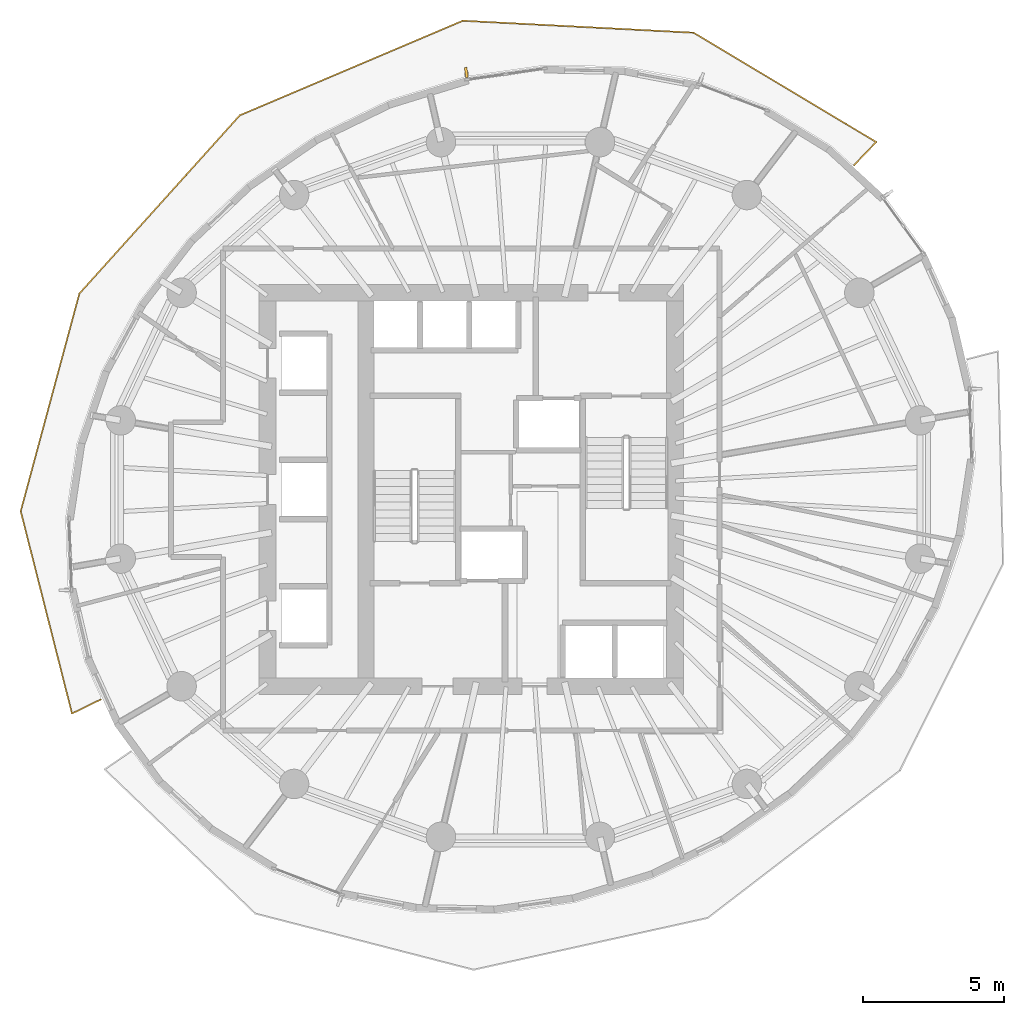
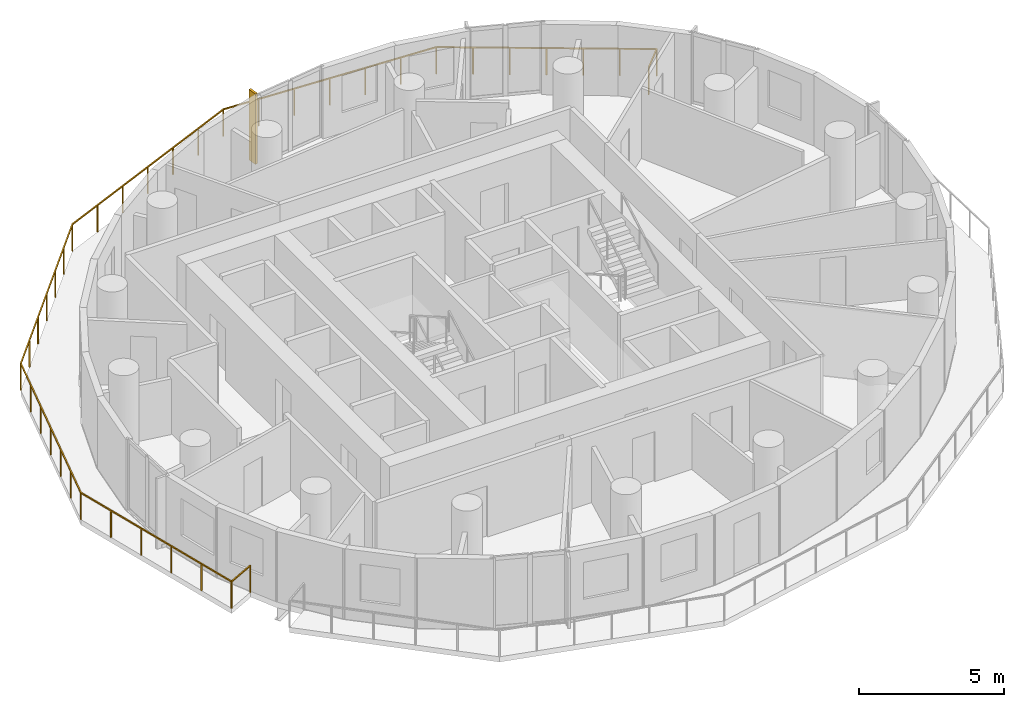
# One storey, part 13 of 14: 1 railing, 1 shading device.
"""IFC4 building model written with IfcOpenShell, lengths in metres."""

from ifc_helpers import new_model, si_unit, direction, frame, origin, origin_2d, place, context, subcontext, project, spatial, rectangle, extrude, material, layer, layer_set, type_object, element, save


model = new_model("IFC4")

# Units and contexts
model_context = context("Model", 3, precision=1e-05, world=origin(), true_north=direction((0.0, 1.0)))
body_context = subcontext(model_context, "Body", "Model", "MODEL_VIEW")
ifc_project = project(units=[si_unit("LENGTHUNIT", "METRE"), si_unit("AREAUNIT", "SQUARE_METRE"), si_unit("VOLUMEUNIT", "CUBIC_METRE"), si_unit("PLANEANGLEUNIT", "RADIAN"), si_unit("MASSUNIT", "GRAM", prefix="KILO")], contexts=[model_context])

# Site, building, storey
site_placement = place(None, origin())
site = spatial("IfcSite", under=ifc_project, at=site_placement, CompositionType="ELEMENT")
building_placement = place(site_placement, origin())
building = spatial("IfcBuilding", under=site, at=building_placement, Name="Veldorim Arch Residences", CompositionType="ELEMENT")
storey_placement = place(building_placement, frame((0.0, 0.0, 129.760009765625)))
storey = spatial("IfcBuildingStorey", under=building, at=storey_placement, Name="L38", CompositionType="ELEMENT", Elevation=129.760009765625)

# Railing
ifc_material_1 = material(Name="Aluminium", Category="aluminium")
railing_type = type_object("IfcRailingType", Name="Balcony & Terrace Laminated Glass Balustrade 1150", PredefinedType="BALUSTRADE", material=ifc_material_1)
railing_placement = place(storey_placement, frame((43.863037109375, 35.533447265625, 0.0)))
element("IfcRailing", 1, at=railing_placement, inside=storey, type_object=railing_type, Name="L38 crescent balcony safety balustrade A", PredefinedType="BALUSTRADE", context=body_context, shape_type="SweptSolid", body=[
    extrude(rectangle(XDim=0.048095703125, YDim=0.048095703125, at=origin_2d()), frame((0.0, 0.0, 1.1259765625), z_axis=(0.692306414723, 0.721603650305, 0.0), x_axis=(-0.721603650305, 0.692306414723, 0.0)), (0.0, 0.0, 1.0), 1.14990234375),
    extrude(rectangle(XDim=0.048095703125, YDim=0.048095703125, at=origin_2d()), frame((0.796142578125, 0.829833984375, 1.1259765625), z_axis=(-0.857944702199, 0.51374204419, 0.0), x_axis=(-0.51374204419, -0.857944702199, 0.0)), (0.0, 0.0, 1.0), 7.575927734375),
    extrude(rectangle(XDim=0.048095703125, YDim=0.048095703125, at=origin_2d()), frame((-5.70361328125, 4.721923828125, 1.1259765625), z_axis=(-0.9986577375, 0.051795012615, 0.0), x_axis=(-0.051795012615, -0.9986577375, 0.0)), (0.0, 0.0, 1.0), 8.220458984375),
    extrude(rectangle(XDim=0.048095703125, YDim=0.048095703125, at=origin_2d()), frame((-13.9130859375, 5.147705078125, 1.1259765625), z_axis=(-0.920610468256, -0.39048222205, 0.0), x_axis=(0.39048222205, -0.920610468256, 0.0)), (0.0, 0.0, 1.0), 8.62255859375),
    extrude(rectangle(XDim=0.048095703125, YDim=0.048095703125, at=origin_2d()), frame((-21.85107421875, 1.78076171875, 1.1259765625), z_axis=(-0.668980537933, -0.743279920263, 0.0), x_axis=(0.743279920263, -0.668980537933, 0.0)), (0.0, 0.0, 1.0), 8.533447265625),
    extrude(rectangle(XDim=0.048095703125, YDim=0.048095703125, at=origin_2d()), frame((-27.559814453125, -4.56201171875, 1.1259765625), z_axis=(-0.26021582334, -0.965550477854, 0.0), x_axis=(0.965550477854, -0.26021582334, 0.0)), (0.0, 0.0, 1.0), 8.02001953125),
    extrude(rectangle(XDim=0.048095703125, YDim=0.048095703125, at=origin_2d()), frame((-29.646728515625, -12.3056640625, 1.1259765625), z_axis=(0.245751019277, -0.969332985369, 0.0), x_axis=(0.969332985369, 0.245751019277, 0.0)), (0.0, 0.0, 1.0), 7.428955078125),
    extrude(rectangle(XDim=0.048095703125, YDim=0.048095703125, at=origin_2d()), frame((-27.821044921875, -19.5068359375, 1.1259765625), z_axis=(0.898590875034, 0.438787464846, 0.0), x_axis=(-0.438787464846, 0.898590875034, 0.0)), (0.0, 0.0, 1.0), 1.150146484375),
    extrude(rectangle(XDim=0.0419921875, YDim=0.0419921875, at=origin_2d()), origin(), (0.0, 0.0, 1.0), 1.101806640625),
    extrude(rectangle(XDim=0.0419921875, YDim=0.0419921875, at=origin_2d()), frame((0.796142578125, 0.829833984375, 0.0)), (0.0, 0.0, 1.0), 1.101806640625),
    extrude(rectangle(XDim=0.0419921875, YDim=0.0419921875, at=origin_2d()), frame((-0.287109375, 1.478515625, 0.0)), (0.0, 0.0, 1.0), 1.101806640625),
    extrude(rectangle(XDim=0.0419921875, YDim=0.0419921875, at=origin_2d()), frame((-1.370361328125, 2.127197265625, 0.0)), (0.0, 0.0, 1.0), 1.101806640625),
    extrude(rectangle(XDim=0.0419921875, YDim=0.0419921875, at=origin_2d()), frame((-2.45361328125, 2.77587890625, 0.0)), (0.0, 0.0, 1.0), 1.101806640625),
    extrude(rectangle(XDim=0.0419921875, YDim=0.0419921875, at=origin_2d()), frame((-3.537109375, 3.424560546875, 0.0)), (0.0, 0.0, 1.0), 1.101806640625),
    extrude(rectangle(XDim=0.0419921875, YDim=0.0419921875, at=origin_2d()), frame((-4.620361328125, 4.0732421875, 0.0)), (0.0, 0.0, 1.0), 1.101806640625),
    extrude(rectangle(XDim=0.0419921875, YDim=0.0419921875, at=origin_2d()), frame((-5.70361328125, 4.721923828125, 0.0)), (0.0, 0.0, 1.0), 1.101806640625),
    extrude(rectangle(XDim=0.0419921875, YDim=0.0419921875, at=origin_2d()), frame((-7.07177734375, 4.79296875, 0.0)), (0.0, 0.0, 1.0), 1.101806640625),
    extrude(rectangle(XDim=0.0419921875, YDim=0.0419921875, at=origin_2d()), frame((-8.440185546875, 4.86376953125, 0.0)), (0.0, 0.0, 1.0), 1.101806640625),
    extrude(rectangle(XDim=0.0419921875, YDim=0.0419921875, at=origin_2d()), frame((-9.808349609375, 4.934814453125, 0.0)), (0.0, 0.0, 1.0), 1.101806640625),
    extrude(rectangle(XDim=0.0419921875, YDim=0.0419921875, at=origin_2d()), frame((-11.176513671875, 5.005859375, 0.0)), (0.0, 0.0, 1.0), 1.101806640625),
    extrude(rectangle(XDim=0.0419921875, YDim=0.0419921875, at=origin_2d()), frame((-12.544921875, 5.07666015625, 0.0)), (0.0, 0.0, 1.0), 1.101806640625),
    extrude(rectangle(XDim=0.0419921875, YDim=0.0419921875, at=origin_2d()), frame((-13.9130859375, 5.147705078125, 0.0)), (0.0, 0.0, 1.0), 1.101806640625),
    extrude(rectangle(XDim=0.0419921875, YDim=0.0419921875, at=origin_2d()), frame((-15.236083984375, 4.58642578125, 0.0)), (0.0, 0.0, 1.0), 1.101806640625),
    extrude(rectangle(XDim=0.0419921875, YDim=0.0419921875, at=origin_2d()), frame((-16.55908203125, 4.025390625, 0.0)), (0.0, 0.0, 1.0), 1.101806640625),
    extrude(rectangle(XDim=0.0419921875, YDim=0.0419921875, at=origin_2d()), frame((-17.882080078125, 3.46435546875, 0.0)), (0.0, 0.0, 1.0), 1.101806640625),
    extrude(rectangle(XDim=0.0419921875, YDim=0.0419921875, at=origin_2d()), frame((-19.205078125, 2.903076171875, 0.0)), (0.0, 0.0, 1.0), 1.101806640625),
    extrude(rectangle(XDim=0.0419921875, YDim=0.0419921875, at=origin_2d()), frame((-20.528076171875, 2.341796875, 0.0)), (0.0, 0.0, 1.0), 1.101806640625),
    extrude(rectangle(XDim=0.0419921875, YDim=0.0419921875, at=origin_2d()), frame((-21.85107421875, 1.78076171875, 0.0)), (0.0, 0.0, 1.0), 1.101806640625),
    extrude(rectangle(XDim=0.0419921875, YDim=0.0419921875, at=origin_2d()), frame((-22.802490234375, 0.7236328125, 0.0)), (0.0, 0.0, 1.0), 1.101806640625),
    extrude(rectangle(XDim=0.0419921875, YDim=0.0419921875, at=origin_2d()), frame((-23.75390625, -0.33349609375, 0.0)), (0.0, 0.0, 1.0), 1.101806640625),
    extrude(rectangle(XDim=0.0419921875, YDim=0.0419921875, at=origin_2d()), frame((-24.70556640625, -1.390625, 0.0)), (0.0, 0.0, 1.0), 1.101806640625),
    extrude(rectangle(XDim=0.0419921875, YDim=0.0419921875, at=origin_2d()), frame((-25.656982421875, -2.44775390625, 0.0)), (0.0, 0.0, 1.0), 1.101806640625),
    extrude(rectangle(XDim=0.0419921875, YDim=0.0419921875, at=origin_2d()), frame((-26.6083984375, -3.5048828125, 0.0)), (0.0, 0.0, 1.0), 1.101806640625),
    extrude(rectangle(XDim=0.0419921875, YDim=0.0419921875, at=origin_2d()), frame((-27.559814453125, -4.56201171875, 0.0)), (0.0, 0.0, 1.0), 1.101806640625),
    extrude(rectangle(XDim=0.0419921875, YDim=0.0419921875, at=origin_2d()), frame((-27.90771484375, -5.8525390625, 0.0)), (0.0, 0.0, 1.0), 1.101806640625),
    extrude(rectangle(XDim=0.0419921875, YDim=0.0419921875, at=origin_2d()), frame((-28.25537109375, -7.143310546875, 0.0)), (0.0, 0.0, 1.0), 1.101806640625),
    extrude(rectangle(XDim=0.0419921875, YDim=0.0419921875, at=origin_2d()), frame((-28.603271484375, -8.433837890625, 0.0)), (0.0, 0.0, 1.0), 1.101806640625),
    extrude(rectangle(XDim=0.0419921875, YDim=0.0419921875, at=origin_2d()), frame((-28.951171875, -9.724365234375, 0.0)), (0.0, 0.0, 1.0), 1.101806640625),
    extrude(rectangle(XDim=0.0419921875, YDim=0.0419921875, at=origin_2d()), frame((-29.298828125, -11.01513671875, 0.0)), (0.0, 0.0, 1.0), 1.101806640625),
    extrude(rectangle(XDim=0.0419921875, YDim=0.0419921875, at=origin_2d()), frame((-29.646728515625, -12.3056640625, 0.0)), (0.0, 0.0, 1.0), 1.101806640625),
    extrude(rectangle(XDim=0.0419921875, YDim=0.0419921875, at=origin_2d()), frame((-29.281494140625, -13.745849609375, 0.0)), (0.0, 0.0, 1.0), 1.101806640625),
    extrude(rectangle(XDim=0.0419921875, YDim=0.0419921875, at=origin_2d()), frame((-28.91650390625, -15.18603515625, 0.0)), (0.0, 0.0, 1.0), 1.101806640625),
    extrude(rectangle(XDim=0.0419921875, YDim=0.0419921875, at=origin_2d()), frame((-28.55126953125, -16.62646484375, 0.0)), (0.0, 0.0, 1.0), 1.101806640625),
    extrude(rectangle(XDim=0.0419921875, YDim=0.0419921875, at=origin_2d()), frame((-28.186279296875, -18.066650390625, 0.0)), (0.0, 0.0, 1.0), 1.101806640625),
    extrude(rectangle(XDim=0.0419921875, YDim=0.0419921875, at=origin_2d()), frame((-27.821044921875, -19.5068359375, 0.0)), (0.0, 0.0, 1.0), 1.101806640625),
    extrude(rectangle(XDim=0.0419921875, YDim=0.0419921875, at=origin_2d()), frame((-26.78759765625, -19.002197265625, 0.0)), (0.0, 0.0, 1.0), 1.101806640625),
])

# Shading device
ifc_material_2 = material(Name="Terracotta Ceramic", Category="masonry")
ifc_layer = layer(ifc_material_2, 0.090087890625, Name="Vertical Extruded Terracotta Baguette Sun-Shading Fin")
ifc_layer_set = layer_set([ifc_layer], Name="Terracotta Ceramic")
shading_device_type = type_object("IfcShadingDeviceType", Name="Vertical Extruded Terracotta Baguette Sun-Shading Fin", PredefinedType="USERDEFINED", material=ifc_layer_set)
shading_device_placement = place(storey_placement, frame((30.07275390625, 38.84228515625, 0.0), z_axis=(0.0, 0.0, 1.0), x_axis=(0.989850775563, 0.142110668555, 0.0)))
element("IfcShadingDevice", 2, at=shading_device_placement, inside=storey, type_object=shading_device_type, Name="L38 vertical terracotta sun-shading fin 07", ObjectType="FIN", PredefinedType="USERDEFINED", context=body_context, shape_type="SweptSolid", body=[
    extrude(rectangle(XDim=0.090087890625, YDim=0.360107421875, at=origin_2d()), origin(), (0.0, 0.0, 1.0), 2.9599609375),
])

save(model, "model.ifc")
